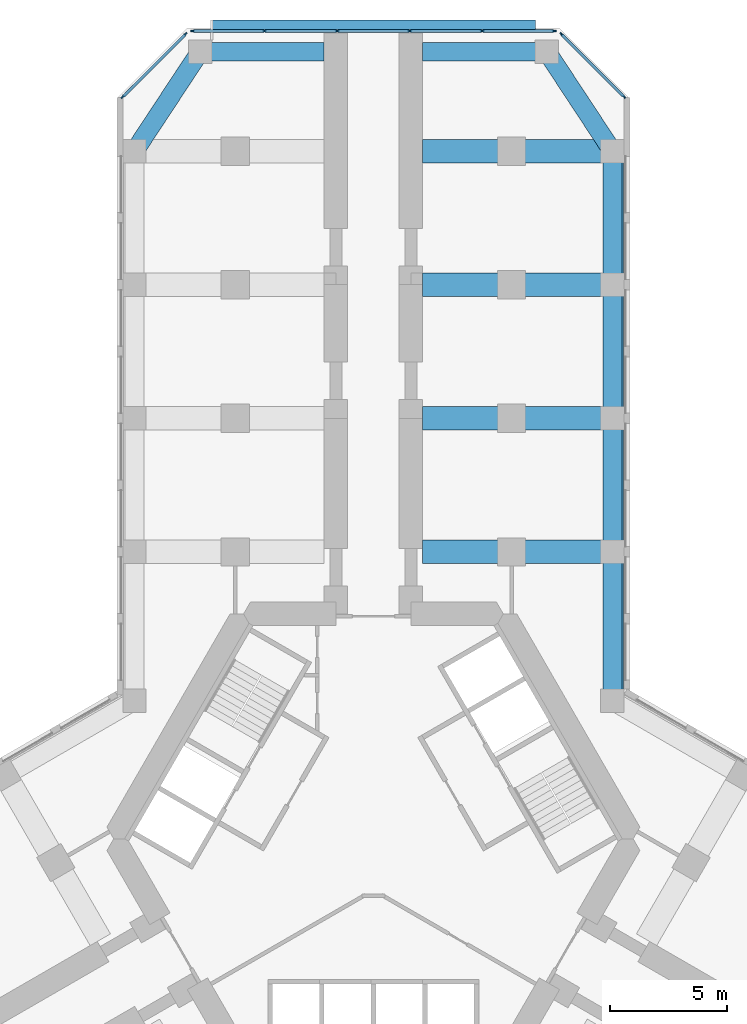
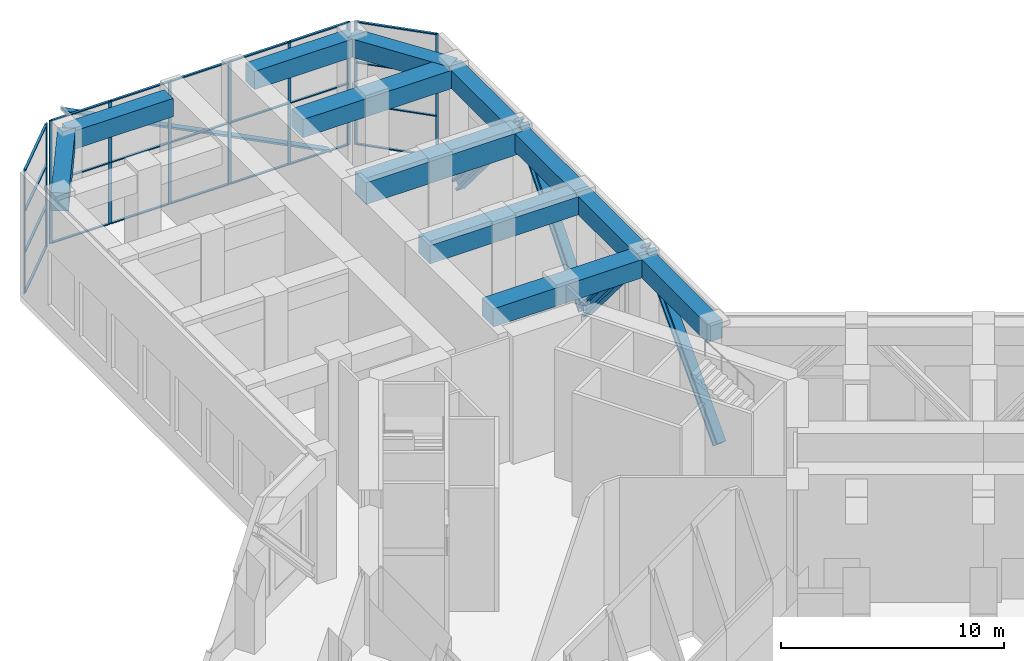
# One storey, part 7 of 17: 38 members, 12 beams, 3 elements without a shape of their own.
"""IFC4 building model written with IfcOpenShell, lengths in metres."""

from ifc_helpers import new_model, si_unit, direction, frame, origin, origin_2d, place, context, subcontext, project, spatial, rectangle, i_section, extrude, material, material_profile, profile_set, type_object, element, aggregate, save


model = new_model("IFC4")

# Units and contexts
model_context = context("Model", 3, precision=1e-05, world=origin(), true_north=direction((0.0, 1.0)))
body_context = subcontext(model_context, "Body", "Model", "MODEL_VIEW")
ifc_project = project(units=[si_unit("LENGTHUNIT", "METRE"), si_unit("AREAUNIT", "SQUARE_METRE"), si_unit("VOLUMEUNIT", "CUBIC_METRE"), si_unit("PLANEANGLEUNIT", "RADIAN"), si_unit("MASSUNIT", "GRAM", prefix="KILO")], contexts=[model_context])

# Site, building, storey
site_placement = place(None, origin())
site = spatial("IfcSite", under=ifc_project, at=site_placement, CompositionType="ELEMENT")
building_placement = place(site_placement, origin())
building = spatial("IfcBuilding", under=site, at=building_placement, Name="Kosmar Iwan School Tower", CompositionType="ELEMENT")
storey_placement = place(building_placement, frame((0.0, 0.0, 113.199951171875)))
storey = spatial("IfcBuildingStorey", under=building, at=storey_placement, Name="L28", CompositionType="ELEMENT", Elevation=113.199951171875)

# Members
ifc_material_1 = material(Name="Steel S355", Category="steel")
ifc_material_profile_1 = material_profile(ifc_material_1, i_section(OverallWidth=0.4541015625, OverallDepth=0.569091796875, WebThickness=0.077880859375, FlangeThickness=0.125, FilletRadius=0.014892578125, at=origin_2d()), Name="HD 400x1086")
ifc_profile_set_1 = profile_set([ifc_material_profile_1], Name="Steel S355")
member_type_1 = type_object("IfcMemberType", Name="Belt truss diagonal HD 400x1086", PredefinedType="BRACE", material=ifc_profile_set_1)
member_1_placement = place(storey_placement, frame((10.443115234375, 5.888916015625, 0.0), z_axis=(0.0, 0.683653048363, 0.729807172795), x_axis=(-1.0, 0.0, 0.0)))
element("IfcMember", 1, at=member_1_placement, inside=storey, type_object=member_type_1, Name="Belt truss diagonal AR1", PredefinedType="BRACE", context=body_context, shape_type="SweptSolid", body=[
    extrude(i_section(OverallWidth=0.4541015625, OverallDepth=0.569091796875, WebThickness=0.077880859375, FlangeThickness=0.125, FilletRadius=0.014892578125, at=origin_2d()), origin(), (0.0, 0.0, 1.0), 9.304443359375),
])
for number, where, z_axis, x_axis, name in (
    (2, (10.443115234375, 12.25, 6.79052734375), (0.0, 0.642921448835, -0.765932118812), (-1.0, 0.0, 0.0), "Belt truss diagonal AR2"),
    (3, (10.443115234375, 17.949951171875, 0.0), (0.0, 0.642921448835, 0.765932118812), (-1.0, 0.0, 0.0), "Belt truss diagonal AR3"),
):
    element("IfcMember", number, at=place(storey_placement, frame(where, z_axis=z_axis, x_axis=x_axis)), inside=storey, type_object=member_type_1, Name=name, PredefinedType="BRACE", context=body_context, shape_type="SweptSolid", body=[
        extrude(i_section(OverallWidth=0.4541015625, OverallDepth=0.569091796875, WebThickness=0.077880859375, FlangeThickness=0.125, FilletRadius=0.014892578125, at=origin_2d()), origin(), (0.0, 0.0, 1.0), 8.86572265625),
    ])
member_2_placement = place(storey_placement, frame((10.443115234375, 23.64990234375, 6.79052734375), z_axis=(0.0, 0.642937603422, -0.765918558403), x_axis=(-1.0, 0.0, 0.0)))
element("IfcMember", 4, at=member_2_placement, inside=storey, type_object=member_type_1, Name="Belt truss diagonal AR4", PredefinedType="BRACE", context=body_context, shape_type="SweptSolid", body=[
    extrude(i_section(OverallWidth=0.4541015625, OverallDepth=0.569091796875, WebThickness=0.077880859375, FlangeThickness=0.125, FilletRadius=0.014892578125, at=origin_2d()), origin(), (0.0, 0.0, 1.0), 8.865966796875),
])

# Beams
ifc_material_2 = material(Name="Concrete C50/60", Category="concrete")
ifc_material_profile_2 = material_profile(ifc_material_2, rectangle(XDim=0.800048828125, YDim=1.0, at=origin_2d()), Name="RC 800x1000 + HD 400x634")
ifc_profile_set_2 = profile_set([ifc_material_profile_2], Name="Concrete C50/60")
beam_type_1 = type_object("IfcBeamType", Name="Composite edge beam 800x1000 HD 400x634", PredefinedType="BEAM", material=ifc_profile_set_2)
beam_1_placement = place(storey_placement, frame((10.199951171875, 5.888916015625, 6.25), z_axis=(0.0, 1.0, 0.0), x_axis=(-1.0, 0.0, 0.0)))
element("IfcBeam", 5, at=beam_1_placement, inside=storey, type_object=beam_type_1, Name="Edge beam AR1", PredefinedType="BEAM", context=body_context, shape_type="SweptSolid", body=[
    extrude(rectangle(XDim=0.800048828125, YDim=1.0, at=origin_2d()), origin(), (0.0, 0.0, 1.0), 6.361083984375),
])
for number, where, z_axis, x_axis, name in (
    (6, (10.199951171875, 12.25, 6.25), (0.0, 1.0, 0.0), (-1.0, 0.0, 0.0), "Edge beam AR2"),
    (7, (10.199951171875, 17.949951171875, 6.25), (0.0, 1.0, 0.0), (-1.0, 0.0, 0.0), "Edge beam AR3"),
):
    element("IfcBeam", number, at=place(storey_placement, frame(where, z_axis=z_axis, x_axis=x_axis)), inside=storey, type_object=beam_type_1, Name=name, PredefinedType="BEAM", context=body_context, shape_type="SweptSolid", body=[
        extrude(rectangle(XDim=0.800048828125, YDim=1.0, at=origin_2d()), origin(), (0.0, 0.0, 1.0), 5.699951171875),
    ])
beam_2_placement = place(storey_placement, frame((10.199951171875, 23.64990234375, 6.25), z_axis=(0.0, 1.0, 0.0), x_axis=(-1.0, 0.0, 0.0)))
element("IfcBeam", 8, at=beam_2_placement, inside=storey, type_object=beam_type_1, Name="Edge beam AR4", PredefinedType="BEAM", context=body_context, shape_type="SweptSolid", body=[
    extrude(rectangle(XDim=0.800048828125, YDim=1.0, at=origin_2d()), origin(), (0.0, 0.0, 1.0), 5.7001953125),
])
ifc_material_3 = material(Name="Concrete C50/60", Category="concrete")
ifc_material_profile_3 = material_profile(ifc_material_3, rectangle(XDim=1.0, YDim=1.199951171875, at=origin_2d()), Name="RC 1000x1200 + HD 400x634")
ifc_profile_set_3 = profile_set([ifc_material_profile_3], Name="Concrete C50/60")
beam_type_2 = type_object("IfcBeamType", Name="Composite transfer beam 1000x1200 HD 400x634", PredefinedType="BEAM", material=ifc_profile_set_3)
beam_3_placement = place(storey_placement, frame((10.199951171875, 23.64990234375, 6.150146484375), z_axis=(-1.0, 0.0, 0.0), x_axis=(0.0, -1.0, 0.0)))
element("IfcBeam", 9, at=beam_3_placement, inside=storey, type_object=beam_type_2, Name="Transfer beam AR3", PredefinedType="BEAM", context=body_context, shape_type="SweptSolid", body=[
    extrude(rectangle(XDim=1.0, YDim=1.199951171875, at=origin_2d()), origin(), (0.0, 0.0, 1.0), 8.099853515625),
])
ifc_material_4 = material(Name="Concrete C50/60", Category="concrete")
ifc_material_profile_4 = material_profile(ifc_material_4, rectangle(XDim=1.0, YDim=1.0, at=origin_2d()), Name="RC 1000x1000 + HD 400x347")
ifc_profile_set_4 = profile_set([ifc_material_profile_4], Name="Concrete C50/60")
beam_type_3 = type_object("IfcBeamType", Name="Composite transverse beam 1000x1000 HD 400x347", PredefinedType="BEAM", material=ifc_profile_set_4)
for number, where, z_axis, x_axis, name in (
    (10, (10.199951171875, 12.25, 6.25), (-1.0, 0.0, 0.0), (0.0, -1.0, 0.0), "Transverse beam AR1"),
    (11, (10.199951171875, 17.949951171875, 6.25), (-1.0, 0.0, 0.0), (0.0, -1.0, 0.0), "Transverse beam AR2"),
    (12, (10.199951171875, 29.35009765625, 6.25), (-1.0, 0.0, 0.0), (0.0, -1.0, 0.0), "Transverse beam AR4"),
):
    element("IfcBeam", number, at=place(storey_placement, frame(where, z_axis=z_axis, x_axis=x_axis)), inside=storey, type_object=beam_type_3, Name=name, PredefinedType="BEAM", context=body_context, shape_type="SweptSolid", body=[
        extrude(rectangle(XDim=1.0, YDim=1.0, at=origin_2d()), origin(), (0.0, 0.0, 1.0), 8.099853515625),
    ])

# Member
ifc_material_5 = material(Name="Black anodised aluminium", Category="aluminium")
ifc_material_profile_5 = material_profile(ifc_material_5, rectangle(XDim=0.10009765625, YDim=0.39990234375, at=origin_2d()), Name="FIN 100x400")
ifc_profile_set_5 = profile_set([ifc_material_profile_5], Name="Black anodised aluminium")
member_type_2 = type_object("IfcMemberType", Name="Diagonal fin 100x400", PredefinedType="USERDEFINED", material=ifc_profile_set_5)
member_3_placement = place(storey_placement, frame((6.898193359375, 34.75, -0.14990234375), z_axis=(-0.891779441227, 0.0, 0.452470361686), x_axis=(0.452470361686, 0.0, 0.891779441227)))
element("IfcMember", 13, at=member_3_placement, inside=storey, type_object=member_type_2, Name="Diagonal fin L28-F08", ObjectType="FIN", PredefinedType="USERDEFINED", context=body_context, shape_type="SweptSolid", body=[
    extrude(rectangle(XDim=0.10009765625, YDim=0.39990234375, at=origin_2d()), origin(), (0.0, 0.0, 1.0), 15.470703125),
])

# Curtain wall, members
ifc_material_6 = material(Name="Dark glass in black aluminium frame", Category="aluminium")
curtain_wall_type_1 = type_object("IfcCurtainWallType", Name="Chamfer curtain wall dark glass", PredefinedType="USERDEFINED", material=ifc_material_6)
curtain_wall_1_placement = place(storey_placement, origin())
curtain_wall_1 = element("IfcCurtainWall", 14, at=curtain_wall_1_placement, inside=storey, type_object=curtain_wall_type_1, Name="Curtain wall L28-F07", ObjectType="FACETED CURTAIN WALL", PredefinedType="USERDEFINED")
ifc_material_7 = material(Name="Black anodised aluminium", Category="aluminium")
ifc_material_profile_6 = material_profile(ifc_material_7, rectangle(XDim=0.06005859375, YDim=0.159912109375, at=origin_2d()), Name="MULLION 60x160")
ifc_profile_set_6 = profile_set([ifc_material_profile_6], Name="Black anodised aluminium")
member_type_3 = type_object("IfcMemberType", Name="Mullion 60x160", PredefinedType="MULLION", material=ifc_profile_set_6)
member_4_placement = place(storey_placement, frame((10.69775390625, 31.675537109375, 0.0), z_axis=(0.0, 0.0, 1.0), x_axis=(-0.707106781187, -0.707106781187, 0.0)))
member_4 = element("IfcMember", 15, at=member_4_placement, type_object=member_type_3, Name="CW2 mullion 1", PredefinedType="MULLION", context=body_context, shape_type="SweptSolid", body=[
    extrude(rectangle(XDim=0.06005859375, YDim=0.159912109375, at=origin_2d()), origin(), (0.0, 0.0, 1.0), 6.75),
])
member_5_placement = place(storey_placement, frame((8.025390625, 34.34765625, 0.0), z_axis=(0.0, 0.0, 1.0), x_axis=(-0.707106781187, -0.707106781187, 0.0)))
member_5 = element("IfcMember", 16, at=member_5_placement, type_object=member_type_3, Name="CW2 mullion 2", PredefinedType="MULLION", context=body_context, shape_type="SweptSolid", body=[
    extrude(rectangle(XDim=0.06005859375, YDim=0.159912109375, at=origin_2d()), origin(), (0.0, 0.0, 1.0), 6.75),
])

ifc_material_8 = material(Name="Black aluminium louvres and glass", Category="aluminium")
curtain_wall_type_2 = type_object("IfcCurtainWallType", Name="Plant floor louvred curtain wall", PredefinedType="USERDEFINED", material=ifc_material_8)
curtain_wall_2_placement = place(storey_placement, origin())
curtain_wall_2 = element("IfcCurtainWall", 17, at=curtain_wall_2_placement, inside=storey, type_object=curtain_wall_type_2, Name="Curtain wall L28-F08", ObjectType="LOUVRED CURTAIN WALL", PredefinedType="USERDEFINED")
member_6_placement = place(storey_placement, frame((7.71826171875, 34.47509765625, 0.0), z_axis=(0.0, 0.0, 1.0), x_axis=(0.0, -1.0, 0.0)))
member_6 = element("IfcMember", 18, at=member_6_placement, type_object=member_type_3, Name="CW4 mullion 1", PredefinedType="MULLION", context=body_context, shape_type="SweptSolid", body=[
    extrude(rectangle(XDim=0.06005859375, YDim=0.159912109375, at=origin_2d()), origin(), (0.0, 0.0, 1.0), 6.75),
])
member_7_placement = place(storey_placement, frame((4.64892578125, 34.47509765625, 0.0), z_axis=(0.0, 0.0, 1.0), x_axis=(0.0, -1.0, 0.0)))
member_7 = element("IfcMember", 19, at=member_7_placement, type_object=member_type_3, Name="CW4 mullion 2", PredefinedType="MULLION", context=body_context, shape_type="SweptSolid", body=[
    extrude(rectangle(XDim=0.06005859375, YDim=0.159912109375, at=origin_2d()), origin(), (0.0, 0.0, 1.0), 6.75),
])
member_8_placement = place(storey_placement, frame((1.549560546875, 34.47509765625, 0.0), z_axis=(0.0, 0.0, 1.0), x_axis=(0.0, -1.0, 0.0)))
member_8 = element("IfcMember", 20, at=member_8_placement, type_object=member_type_3, Name="CW4 mullion 3", PredefinedType="MULLION", context=body_context, shape_type="SweptSolid", body=[
    extrude(rectangle(XDim=0.06005859375, YDim=0.159912109375, at=origin_2d()), origin(), (0.0, 0.0, 1.0), 6.75),
])
member_9_placement = place(storey_placement, frame((-1.549560546875, 34.47509765625, 0.0), z_axis=(0.0, 0.0, 1.0), x_axis=(0.0, -1.0, 0.0)))
member_9 = element("IfcMember", 21, at=member_9_placement, type_object=member_type_3, Name="CW4 mullion 4", PredefinedType="MULLION", context=body_context, shape_type="SweptSolid", body=[
    extrude(rectangle(XDim=0.06005859375, YDim=0.159912109375, at=origin_2d()), origin(), (0.0, 0.0, 1.0), 6.75),
])
member_10_placement = place(storey_placement, frame((-4.64892578125, 34.47509765625, 0.0), z_axis=(0.0, 0.0, 1.0), x_axis=(0.0, -1.0, 0.0)))
member_10 = element("IfcMember", 22, at=member_10_placement, type_object=member_type_3, Name="CW4 mullion 5", PredefinedType="MULLION", context=body_context, shape_type="SweptSolid", body=[
    extrude(rectangle(XDim=0.06005859375, YDim=0.159912109375, at=origin_2d()), origin(), (0.0, 0.0, 1.0), 6.75),
])
member_11_placement = place(storey_placement, frame((-7.71826171875, 34.47509765625, 0.0), z_axis=(0.0, 0.0, 1.0), x_axis=(0.0, -1.0, 0.0)))
member_11 = element("IfcMember", 23, at=member_11_placement, type_object=member_type_3, Name="CW4 mullion 6", PredefinedType="MULLION", context=body_context, shape_type="SweptSolid", body=[
    extrude(rectangle(XDim=0.06005859375, YDim=0.159912109375, at=origin_2d()), origin(), (0.0, 0.0, 1.0), 6.75),
])

curtain_wall_3_placement = place(storey_placement, origin())
curtain_wall_3 = element("IfcCurtainWall", 24, at=curtain_wall_3_placement, inside=storey, type_object=curtain_wall_type_1, Name="Curtain wall L28-F09", ObjectType="FACETED CURTAIN WALL", PredefinedType="USERDEFINED")
member_12_placement = place(storey_placement, frame((-8.025390625, 34.34765625, 0.0), z_axis=(0.0, 0.0, 1.0), x_axis=(0.707106781187, -0.707106781187, 0.0)))
member_12 = element("IfcMember", 25, at=member_12_placement, type_object=member_type_3, Name="CW2 mullion 1", PredefinedType="MULLION", context=body_context, shape_type="SweptSolid", body=[
    extrude(rectangle(XDim=0.06005859375, YDim=0.159912109375, at=origin_2d()), origin(), (0.0, 0.0, 1.0), 6.75),
])
member_13_placement = place(storey_placement, frame((-10.69775390625, 31.675537109375, 0.0), z_axis=(0.0, 0.0, 1.0), x_axis=(0.707106781187, -0.707106781187, 0.0)))
member_13 = element("IfcMember", 26, at=member_13_placement, type_object=member_type_3, Name="CW2 mullion 2", PredefinedType="MULLION", context=body_context, shape_type="SweptSolid", body=[
    extrude(rectangle(XDim=0.06005859375, YDim=0.159912109375, at=origin_2d()), origin(), (0.0, 0.0, 1.0), 6.75),
])

# Beams
ifc_material_9 = material(Name="Concrete C50/60", Category="concrete")
ifc_material_profile_7 = material_profile(ifc_material_9, rectangle(XDim=0.800048828125, YDim=1.0, at=origin_2d()), Name="RC 800x1000")
ifc_profile_set_7 = profile_set([ifc_material_profile_7], Name="Concrete C50/60")
beam_type_4 = type_object("IfcBeamType", Name="RC tip beam 800x1000", PredefinedType="BEAM", material=ifc_profile_set_7)
beam_4_placement = place(storey_placement, frame((-10.199951171875, 29.35009765625, 6.25), z_axis=(0.550164383043, 0.835056376319, 0.0), x_axis=(-0.835056376319, 0.550164383043, 0.0)))
element("IfcBeam", 27, at=beam_4_placement, inside=storey, type_object=beam_type_4, Name="Tip beam AL", PredefinedType="BEAM", context=body_context, shape_type="SweptSolid", body=[
    extrude(rectangle(XDim=0.800048828125, YDim=1.0, at=origin_2d()), origin(), (0.0, 0.0, 1.0), 5.08935546875),
])
beam_5_placement = place(storey_placement, frame((-7.39990234375, 33.60009765625, 6.25), z_axis=(1.0, 0.0, 0.0), x_axis=(0.0, 1.0, 0.0)))
element("IfcBeam", 28, at=beam_5_placement, inside=storey, type_object=beam_type_4, Name="Tip beam AL to corridor wall", PredefinedType="BEAM", context=body_context, shape_type="SweptSolid", body=[
    extrude(rectangle(XDim=0.800048828125, YDim=1.0, at=origin_2d()), origin(), (0.0, 0.0, 1.0), 5.2998046875),
])
beam_6_placement = place(storey_placement, frame((10.199951171875, 29.35009765625, 6.25), z_axis=(-0.550164383043, 0.835056376319, 0.0), x_axis=(-0.835056376319, -0.550164383043, 0.0)))
element("IfcBeam", 29, at=beam_6_placement, inside=storey, type_object=beam_type_4, Name="Tip beam AR", PredefinedType="BEAM", context=body_context, shape_type="SweptSolid", body=[
    extrude(rectangle(XDim=0.800048828125, YDim=1.0, at=origin_2d()), origin(), (0.0, 0.0, 1.0), 5.08935546875),
])
beam_7_placement = place(storey_placement, frame((7.39990234375, 33.60009765625, 6.25), z_axis=(-1.0, 0.0, 0.0), x_axis=(0.0, -1.0, 0.0)))
element("IfcBeam", 30, at=beam_7_placement, inside=storey, type_object=beam_type_4, Name="Tip beam AR to corridor wall", PredefinedType="BEAM", context=body_context, shape_type="SweptSolid", body=[
    extrude(rectangle(XDim=0.800048828125, YDim=1.0, at=origin_2d()), origin(), (0.0, 0.0, 1.0), 5.2998046875),
])

# Member
ifc_material_10 = material(Name="Black anodised aluminium", Category="aluminium")
ifc_material_profile_8 = material_profile(ifc_material_10, rectangle(XDim=0.1201171875, YDim=0.06005859375, at=origin_2d()), Name="TRANSOM 60x120")
ifc_profile_set_8 = profile_set([ifc_material_profile_8], Name="Black anodised aluminium")
member_type_4 = type_object("IfcMemberType", Name="Transom 60x120", PredefinedType="USERDEFINED", material=ifc_profile_set_8)
member_14_placement = place(storey_placement, frame((10.676513671875, 31.69677734375, 0.030029296875), z_axis=(-0.707139603466, 0.707073957383, 0.0), x_axis=(-0.707073957383, -0.707139603466, 0.0)))
member_14 = element("IfcMember", 31, at=member_14_placement, type_object=member_type_4, Name="CW2 transom 1.1", ObjectType="TRANSOM", PredefinedType="USERDEFINED", context=body_context, shape_type="SweptSolid", body=[
    extrude(rectangle(XDim=0.1201171875, YDim=0.06005859375, at=origin_2d()), origin(), (0.0, 0.0, 1.0), 3.718994140625),
])

member_15_placement = place(storey_placement, frame((10.676513671875, 31.69677734375, 2.25), z_axis=(-0.707139603466, 0.707073957383, 0.0), x_axis=(-0.707073957383, -0.707139603466, 0.0)))
member_15 = element("IfcMember", 32, at=member_15_placement, type_object=member_type_4, Name="CW2 transom 1.2", ObjectType="TRANSOM", PredefinedType="USERDEFINED", context=body_context, shape_type="SweptSolid", body=[
    extrude(rectangle(XDim=0.1201171875, YDim=0.06005859375, at=origin_2d()), origin(), (0.0, 0.0, 1.0), 3.718994140625),
])

member_16_placement = place(storey_placement, frame((10.676513671875, 31.69677734375, 4.5), z_axis=(-0.707139603466, 0.707073957383, 0.0), x_axis=(-0.707073957383, -0.707139603466, 0.0)))
member_16 = element("IfcMember", 33, at=member_16_placement, type_object=member_type_4, Name="CW2 transom 1.3", ObjectType="TRANSOM", PredefinedType="USERDEFINED", context=body_context, shape_type="SweptSolid", body=[
    extrude(rectangle(XDim=0.1201171875, YDim=0.06005859375, at=origin_2d()), origin(), (0.0, 0.0, 1.0), 3.718994140625),
])

member_17_placement = place(storey_placement, frame((10.676513671875, 31.69677734375, 6.719970703125), z_axis=(-0.707139603466, 0.707073957383, 0.0), x_axis=(-0.707073957383, -0.707139603466, 0.0)))
member_17 = element("IfcMember", 34, at=member_17_placement, type_object=member_type_4, Name="CW2 transom 1.4", ObjectType="TRANSOM", PredefinedType="USERDEFINED", context=body_context, shape_type="SweptSolid", body=[
    extrude(rectangle(XDim=0.1201171875, YDim=0.06005859375, at=origin_2d()), origin(), (0.0, 0.0, 1.0), 3.718994140625),
])

aggregate(curtain_wall_1, [member_4, member_5, member_14, member_15, member_16, member_17])

member_18_placement = place(storey_placement, frame((7.688232421875, 34.47509765625, 0.030029296875), z_axis=(-1.0, 0.0, 0.0), x_axis=(0.0, -1.0, 0.0)))
member_18 = element("IfcMember", 35, at=member_18_placement, type_object=member_type_4, Name="CW4 transom 1.1", ObjectType="TRANSOM", PredefinedType="USERDEFINED", context=body_context, shape_type="SweptSolid", body=[
    extrude(rectangle(XDim=0.1201171875, YDim=0.06005859375, at=origin_2d()), origin(), (0.0, 0.0, 1.0), 3.00927734375),
])

member_19_placement = place(storey_placement, frame((7.688232421875, 34.47509765625, 3.375), z_axis=(-1.0, 0.0, 0.0), x_axis=(0.0, -1.0, 0.0)))
member_19 = element("IfcMember", 36, at=member_19_placement, type_object=member_type_4, Name="CW4 transom 1.2", ObjectType="TRANSOM", PredefinedType="USERDEFINED", context=body_context, shape_type="SweptSolid", body=[
    extrude(rectangle(XDim=0.1201171875, YDim=0.06005859375, at=origin_2d()), origin(), (0.0, 0.0, 1.0), 3.00927734375),
])

member_20_placement = place(storey_placement, frame((7.688232421875, 34.47509765625, 6.719970703125), z_axis=(-1.0, 0.0, 0.0), x_axis=(0.0, -1.0, 0.0)))
member_20 = element("IfcMember", 37, at=member_20_placement, type_object=member_type_4, Name="CW4 transom 1.3", ObjectType="TRANSOM", PredefinedType="USERDEFINED", context=body_context, shape_type="SweptSolid", body=[
    extrude(rectangle(XDim=0.1201171875, YDim=0.06005859375, at=origin_2d()), origin(), (0.0, 0.0, 1.0), 3.00927734375),
])

member_21_placement = place(storey_placement, frame((4.618896484375, 34.47509765625, 0.030029296875), z_axis=(-1.0, 0.0, 0.0), x_axis=(0.0, -1.0, 0.0)))
member_21 = element("IfcMember", 38, at=member_21_placement, type_object=member_type_4, Name="CW4 transom 2.1", ObjectType="TRANSOM", PredefinedType="USERDEFINED", context=body_context, shape_type="SweptSolid", body=[
    extrude(rectangle(XDim=0.1201171875, YDim=0.06005859375, at=origin_2d()), origin(), (0.0, 0.0, 1.0), 3.039306640625),
])

member_22_placement = place(storey_placement, frame((4.618896484375, 34.47509765625, 3.375), z_axis=(-1.0, 0.0, 0.0), x_axis=(0.0, -1.0, 0.0)))
member_22 = element("IfcMember", 39, at=member_22_placement, type_object=member_type_4, Name="CW4 transom 2.2", ObjectType="TRANSOM", PredefinedType="USERDEFINED", context=body_context, shape_type="SweptSolid", body=[
    extrude(rectangle(XDim=0.1201171875, YDim=0.06005859375, at=origin_2d()), origin(), (0.0, 0.0, 1.0), 3.039306640625),
])

member_23_placement = place(storey_placement, frame((4.618896484375, 34.47509765625, 6.719970703125), z_axis=(-1.0, 0.0, 0.0), x_axis=(0.0, -1.0, 0.0)))
member_23 = element("IfcMember", 40, at=member_23_placement, type_object=member_type_4, Name="CW4 transom 2.3", ObjectType="TRANSOM", PredefinedType="USERDEFINED", context=body_context, shape_type="SweptSolid", body=[
    extrude(rectangle(XDim=0.1201171875, YDim=0.06005859375, at=origin_2d()), origin(), (0.0, 0.0, 1.0), 3.039306640625),
])

member_24_placement = place(storey_placement, frame((1.51953125, 34.47509765625, 0.030029296875), z_axis=(-1.0, 0.0, 0.0), x_axis=(0.0, -1.0, 0.0)))
member_24 = element("IfcMember", 41, at=member_24_placement, type_object=member_type_4, Name="CW4 transom 3.1", ObjectType="TRANSOM", PredefinedType="USERDEFINED", context=body_context, shape_type="SweptSolid", body=[
    extrude(rectangle(XDim=0.1201171875, YDim=0.06005859375, at=origin_2d()), origin(), (0.0, 0.0, 1.0), 3.0390625),
])

member_25_placement = place(storey_placement, frame((1.51953125, 34.47509765625, 3.375), z_axis=(-1.0, 0.0, 0.0), x_axis=(0.0, -1.0, 0.0)))
member_25 = element("IfcMember", 42, at=member_25_placement, type_object=member_type_4, Name="CW4 transom 3.2", ObjectType="TRANSOM", PredefinedType="USERDEFINED", context=body_context, shape_type="SweptSolid", body=[
    extrude(rectangle(XDim=0.1201171875, YDim=0.06005859375, at=origin_2d()), origin(), (0.0, 0.0, 1.0), 3.0390625),
])

member_26_placement = place(storey_placement, frame((1.51953125, 34.47509765625, 6.719970703125), z_axis=(-1.0, 0.0, 0.0), x_axis=(0.0, -1.0, 0.0)))
member_26 = element("IfcMember", 43, at=member_26_placement, type_object=member_type_4, Name="CW4 transom 3.3", ObjectType="TRANSOM", PredefinedType="USERDEFINED", context=body_context, shape_type="SweptSolid", body=[
    extrude(rectangle(XDim=0.1201171875, YDim=0.06005859375, at=origin_2d()), origin(), (0.0, 0.0, 1.0), 3.0390625),
])

member_27_placement = place(storey_placement, frame((-1.57958984375, 34.47509765625, 0.030029296875), z_axis=(-1.0, 0.0, 0.0), x_axis=(0.0, -1.0, 0.0)))
member_27 = element("IfcMember", 44, at=member_27_placement, type_object=member_type_4, Name="CW4 transom 4.1", ObjectType="TRANSOM", PredefinedType="USERDEFINED", context=body_context, shape_type="SweptSolid", body=[
    extrude(rectangle(XDim=0.1201171875, YDim=0.06005859375, at=origin_2d()), origin(), (0.0, 0.0, 1.0), 3.039306640625),
])

member_28_placement = place(storey_placement, frame((-1.57958984375, 34.47509765625, 3.375), z_axis=(-1.0, 0.0, 0.0), x_axis=(0.0, -1.0, 0.0)))
member_28 = element("IfcMember", 45, at=member_28_placement, type_object=member_type_4, Name="CW4 transom 4.2", ObjectType="TRANSOM", PredefinedType="USERDEFINED", context=body_context, shape_type="SweptSolid", body=[
    extrude(rectangle(XDim=0.1201171875, YDim=0.06005859375, at=origin_2d()), origin(), (0.0, 0.0, 1.0), 3.039306640625),
])

member_29_placement = place(storey_placement, frame((-1.57958984375, 34.47509765625, 6.719970703125), z_axis=(-1.0, 0.0, 0.0), x_axis=(0.0, -1.0, 0.0)))
member_29 = element("IfcMember", 46, at=member_29_placement, type_object=member_type_4, Name="CW4 transom 4.3", ObjectType="TRANSOM", PredefinedType="USERDEFINED", context=body_context, shape_type="SweptSolid", body=[
    extrude(rectangle(XDim=0.1201171875, YDim=0.06005859375, at=origin_2d()), origin(), (0.0, 0.0, 1.0), 3.039306640625),
])

member_30_placement = place(storey_placement, frame((-4.678955078125, 34.47509765625, 0.030029296875), z_axis=(-1.0, 0.0, 0.0), x_axis=(0.0, -1.0, 0.0)))
member_30 = element("IfcMember", 47, at=member_30_placement, type_object=member_type_4, Name="CW4 transom 5.1", ObjectType="TRANSOM", PredefinedType="USERDEFINED", context=body_context, shape_type="SweptSolid", body=[
    extrude(rectangle(XDim=0.1201171875, YDim=0.06005859375, at=origin_2d()), origin(), (0.0, 0.0, 1.0), 3.00927734375),
])

member_31_placement = place(storey_placement, frame((-4.678955078125, 34.47509765625, 3.375), z_axis=(-1.0, 0.0, 0.0), x_axis=(0.0, -1.0, 0.0)))
member_31 = element("IfcMember", 48, at=member_31_placement, type_object=member_type_4, Name="CW4 transom 5.2", ObjectType="TRANSOM", PredefinedType="USERDEFINED", context=body_context, shape_type="SweptSolid", body=[
    extrude(rectangle(XDim=0.1201171875, YDim=0.06005859375, at=origin_2d()), origin(), (0.0, 0.0, 1.0), 3.00927734375),
])

member_32_placement = place(storey_placement, frame((-4.678955078125, 34.47509765625, 6.719970703125), z_axis=(-1.0, 0.0, 0.0), x_axis=(0.0, -1.0, 0.0)))
member_32 = element("IfcMember", 49, at=member_32_placement, type_object=member_type_4, Name="CW4 transom 5.3", ObjectType="TRANSOM", PredefinedType="USERDEFINED", context=body_context, shape_type="SweptSolid", body=[
    extrude(rectangle(XDim=0.1201171875, YDim=0.06005859375, at=origin_2d()), origin(), (0.0, 0.0, 1.0), 3.00927734375),
])

aggregate(curtain_wall_2, [member_6, member_7, member_8, member_9, member_10, member_11, member_18, member_19, member_20, member_21, member_22, member_23, member_24, member_25, member_26, member_27, member_28, member_29, member_30, member_31, member_32])

member_33_placement = place(storey_placement, frame((-8.046630859375, 34.326416015625, 0.030029296875), z_axis=(-0.707139603466, -0.707073957383, 0.0), x_axis=(0.707073957383, -0.707139603466, 0.0)))
member_33 = element("IfcMember", 50, at=member_33_placement, type_object=member_type_4, Name="CW2 transom 1.1", ObjectType="TRANSOM", PredefinedType="USERDEFINED", context=body_context, shape_type="SweptSolid", body=[
    extrude(rectangle(XDim=0.1201171875, YDim=0.06005859375, at=origin_2d()), origin(), (0.0, 0.0, 1.0), 3.718994140625),
])

member_34_placement = place(storey_placement, frame((-8.046630859375, 34.326416015625, 2.25), z_axis=(-0.707139603466, -0.707073957383, 0.0), x_axis=(0.707073957383, -0.707139603466, 0.0)))
member_34 = element("IfcMember", 51, at=member_34_placement, type_object=member_type_4, Name="CW2 transom 1.2", ObjectType="TRANSOM", PredefinedType="USERDEFINED", context=body_context, shape_type="SweptSolid", body=[
    extrude(rectangle(XDim=0.1201171875, YDim=0.06005859375, at=origin_2d()), origin(), (0.0, 0.0, 1.0), 3.718994140625),
])

member_35_placement = place(storey_placement, frame((-8.046630859375, 34.326416015625, 4.5), z_axis=(-0.707139603466, -0.707073957383, 0.0), x_axis=(0.707073957383, -0.707139603466, 0.0)))
member_35 = element("IfcMember", 52, at=member_35_placement, type_object=member_type_4, Name="CW2 transom 1.3", ObjectType="TRANSOM", PredefinedType="USERDEFINED", context=body_context, shape_type="SweptSolid", body=[
    extrude(rectangle(XDim=0.1201171875, YDim=0.06005859375, at=origin_2d()), origin(), (0.0, 0.0, 1.0), 3.718994140625),
])

member_36_placement = place(storey_placement, frame((-8.046630859375, 34.326416015625, 6.719970703125), z_axis=(-0.707139603466, -0.707073957383, 0.0), x_axis=(0.707073957383, -0.707139603466, 0.0)))
member_36 = element("IfcMember", 53, at=member_36_placement, type_object=member_type_4, Name="CW2 transom 1.4", ObjectType="TRANSOM", PredefinedType="USERDEFINED", context=body_context, shape_type="SweptSolid", body=[
    extrude(rectangle(XDim=0.1201171875, YDim=0.06005859375, at=origin_2d()), origin(), (0.0, 0.0, 1.0), 3.718994140625),
])

aggregate(curtain_wall_3, [member_12, member_13, member_33, member_34, member_35, member_36])

save(model, "model.ifc")
